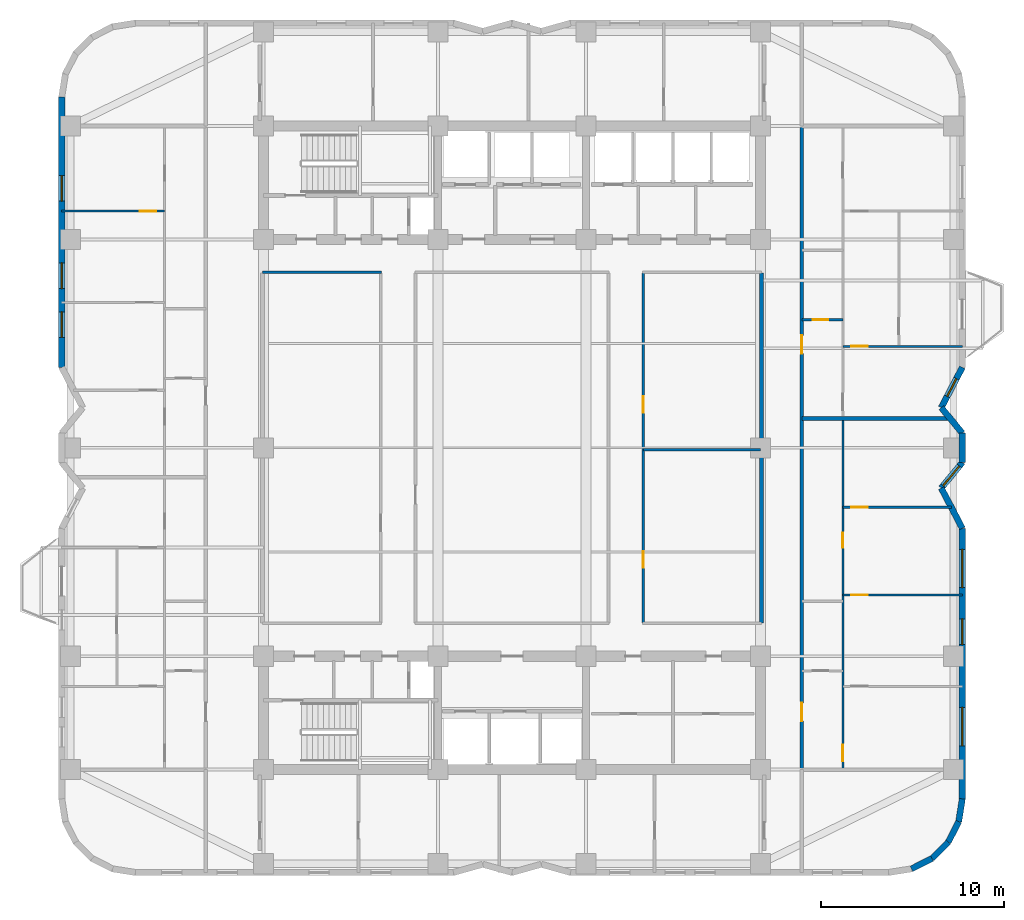
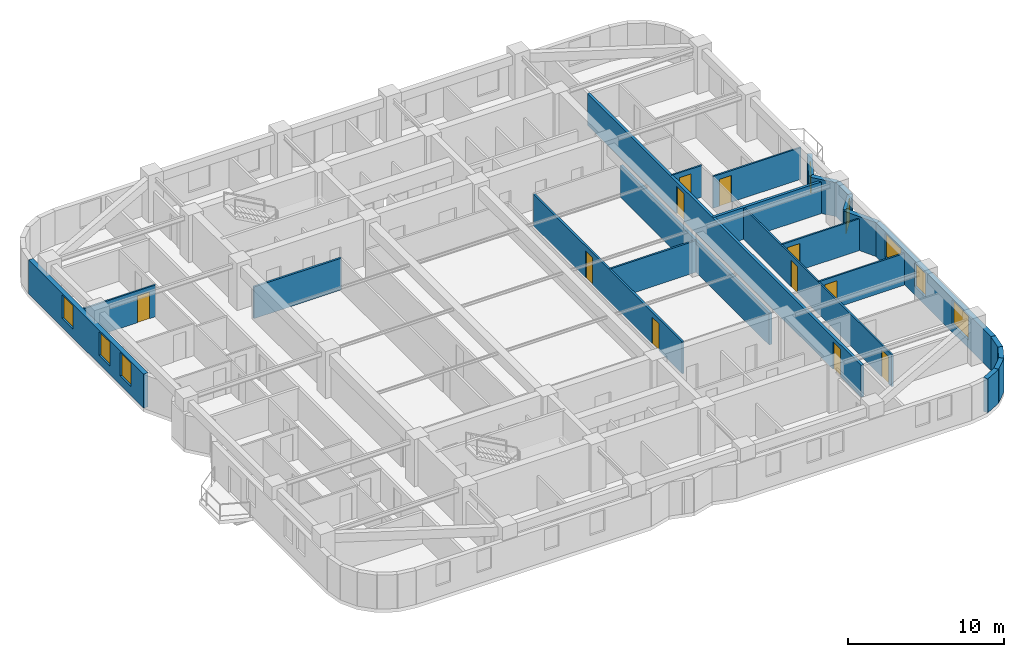
# One storey, part 5 of 10: 23 walls, 11 doors, 8 windows, 19 openings.
"""IFC4 building model written with IfcOpenShell, lengths in metres."""

from ifc_helpers import new_model, si_unit, direction, frame, frame_2d, origin, place, context, subcontext, project, spatial, rectangle, extrude, material, layer, layer_set, type_object, element, fill, save


model = new_model("IFC4")

# Units and contexts
model_context = context("Model", 3, precision=1e-05, world=origin(), true_north=direction((0.0, 1.0)))
body_context = subcontext(model_context, "Body", "Model", "MODEL_VIEW")
ifc_project = project(units=[si_unit("LENGTHUNIT", "METRE"), si_unit("AREAUNIT", "SQUARE_METRE"), si_unit("VOLUMEUNIT", "CUBIC_METRE"), si_unit("PLANEANGLEUNIT", "RADIAN"), si_unit("MASSUNIT", "GRAM", prefix="KILO")], contexts=[model_context])

# Site, building, storey
site_placement = place(None, origin())
site = spatial("IfcSite", under=ifc_project, at=site_placement, CompositionType="ELEMENT")
building_placement = place(site_placement, origin())
building = spatial("IfcBuilding", under=site, at=building_placement, Name="Svetorya Sky Lyceum", CompositionType="ELEMENT")
storey_placement = place(building_placement, frame((0.0, 0.0, 132.699951171875)))
storey = spatial("IfcBuildingStorey", under=building, at=storey_placement, Name="L33", CompositionType="ELEMENT", Elevation=132.699951171875)

# Walls
ifc_material_1 = material(Name="Putilovo limestone rainscreen on autoclaved cellular masonry", Category="masonry")
ifc_layer_1 = layer(ifc_material_1, 0.340087890625)
ifc_layer_set_1 = layer_set([ifc_layer_1], Name="Putilovo limestone rainscreen on autoclaved cellular masonry")
wall_type_1 = type_object("IfcWallType", Name="WL-EXT-340", PredefinedType="SOLIDWALL", material=ifc_layer_set_1)
for number, where, z_axis, x_axis, name in (
    (1, (61.04541015625, 5.167236328125, 0.0), (0.0, 0.0, 1.0), (0.890953769915, 0.454094020963, 0.0), "L33 Limestone Exterior Wall 13M"),
    (2, (62.168701171875, 5.73974609375, 0.0), (0.0, 0.0, 1.0), (0.707203598708, 0.707009950407, 0.0), "L33 Limestone Exterior Wall 14M"),
):
    element("IfcWall", number, at=place(storey_placement, frame(where, z_axis=z_axis, x_axis=x_axis)), inside=storey, type_object=wall_type_1, Name=name, PredefinedType="SOLIDWALL", context=body_context, shape_type="SweptSolid", body=[
        extrude(rectangle(XDim=1.2607421875, YDim=0.340087890625, at=frame_2d((0.63037109375, 0.0))), origin(), (0.0, 0.0, 1.0), 2.66015625),
    ])
for number, where, z_axis, x_axis, name in (
    (3, (63.060302734375, 6.631103515625, 0.0), (0.0, 0.0, 1.0), (0.454015689056, 0.890993689142, 0.0), "L33 Limestone Exterior Wall 15M"),
    (4, (63.6328125, 7.754638671875, 0.0), (0.0, 0.0, 1.0), (0.15644975923, 0.987685918112, 0.0), "L33 Limestone Exterior Wall 16M"),
):
    element("IfcWall", number, at=place(storey_placement, frame(where, z_axis=z_axis, x_axis=x_axis)), inside=storey, type_object=wall_type_1, Name=name, PredefinedType="SOLIDWALL", context=body_context, shape_type="SweptSolid", body=[
        extrude(rectangle(XDim=1.260986328125, YDim=0.340087890625, at=frame_2d((0.63037109375, 0.0))), origin(), (0.0, 0.0, 1.0), 2.66015625),
    ])

# Wall, openings, windows
wall_1_placement = place(storey_placement, frame((63.830078125, 9.0, 0.0), z_axis=(0.0, 0.0, 1.0), x_axis=(0.0, 1.0, 0.0)))
wall_1 = element("IfcWall", 5, at=wall_1_placement, inside=storey, type_object=wall_type_1, Name="L33 Limestone Exterior Wall 17M", PredefinedType="SOLIDWALL", context=body_context, shape_type="SweptSolid", body=[
    extrude(rectangle(XDim=14.800048828125, YDim=0.340087890625, at=frame_2d((7.39990234375, 0.0))), origin(), (0.0, 0.0, 1.0), 2.66015625),
])
opening_1_placement = place(wall_1_placement, frame((2.89990234375, 0.0, 0.639892578125)))
opening_1 = element("IfcOpeningElement", 6, at=opening_1_placement, cuts=wall_1, Name="Opening W-R0", PredefinedType="OPENING", context=body_context, shape_type="SweptSolid", body=[
    extrude(rectangle(XDim=2.10009765625, YDim=1.89990234375, at=frame_2d((1.050048828125, 0.949951171875))), frame((0.0, 0.179931640625, 0.0), z_axis=(0.0, -1.0, 0.0), x_axis=(1.0, 0.0, 0.0)), (0.0, 0.0, 1.0), 0.360107421875),
])
opening_2_placement = place(wall_1_placement, frame((8.43994140625, 0.0, 0.64990234375)))
opening_2 = element("IfcOpeningElement", 7, at=opening_2_placement, cuts=wall_1, Name="Opening W-R2", PredefinedType="OPENING", context=body_context, shape_type="SweptSolid", body=[
    extrude(rectangle(XDim=1.39990234375, YDim=1.85009765625, at=frame_2d((0.699951171875, 0.925048828125))), frame((0.0, 0.179931640625, 0.0), z_axis=(0.0, -1.0, 0.0), x_axis=(1.0, 0.0, 0.0)), (0.0, 0.0, 1.0), 0.360107421875),
])
opening_3_placement = place(wall_1_placement, frame((11.550048828125, 0.0, 0.639892578125)))
opening_3 = element("IfcOpeningElement", 8, at=opening_3_placement, cuts=wall_1, Name="Opening W-R0", PredefinedType="OPENING", context=body_context, shape_type="SweptSolid", body=[
    extrude(rectangle(XDim=2.10009765625, YDim=1.89990234375, at=frame_2d((1.050048828125, 0.949951171875))), frame((0.0, 0.179931640625, 0.0), z_axis=(0.0, -1.0, 0.0), x_axis=(1.0, 0.0, 0.0)), (0.0, 0.0, 1.0), 0.360107421875),
])
ifc_material_2 = material(Name="Thermally broken aluminium frame with triple low-E glazing", Category="aluminium")
window_type_1 = type_object("IfcWindowType", Name="WN-RES-140", PartitioningType="SINGLE_PANEL", PredefinedType="WINDOW", material=ifc_material_2)
window_1_placement = place(opening_2_placement, origin())
window_1 = element("IfcWindow", 9, at=window_1_placement, inside=storey, type_object=window_type_1, Name="L33 Facade Window W-R2.17M.3", OverallHeight=1.85009765625, OverallWidth=1.39990234375, PartitioningType="SINGLE_PANEL", PredefinedType="WINDOW", context=body_context, shape_type="SweptSolid", body=[
    extrude(rectangle(XDim=1.39990234375, YDim=1.85009765625, at=frame_2d((0.699951171875, 0.925048828125))), frame((0.0, 0.030029296875, 0.0), z_axis=(0.0, -1.0, 0.0), x_axis=(1.0, 0.0, 0.0)), (0.0, 0.0, 1.0), 0.06005859375),
])
fill(opening_2, window_1)
window_type_2 = type_object("IfcWindowType", Name="WN-RES-210", PartitioningType="TRIPLE_PANEL_VERTICAL", PredefinedType="WINDOW", material=ifc_material_2)
window_2_placement = place(opening_1_placement, origin())
window_2 = element("IfcWindow", 10, at=window_2_placement, inside=storey, type_object=window_type_2, Name="L33 Facade Window W-R0.17M.1", OverallHeight=1.89990234375, OverallWidth=2.10009765625, PartitioningType="SINGLE_PANEL", PredefinedType="WINDOW", context=body_context, shape_type="SweptSolid", body=[
    extrude(rectangle(XDim=2.10009765625, YDim=1.89990234375, at=frame_2d((1.050048828125, 0.949951171875))), frame((0.0, 0.030029296875, 0.0), z_axis=(0.0, -1.0, 0.0), x_axis=(1.0, 0.0, 0.0)), (0.0, 0.0, 1.0), 0.06005859375),
])
fill(opening_1, window_2)
window_3_placement = place(opening_3_placement, origin())
window_3 = element("IfcWindow", 11, at=window_3_placement, inside=storey, type_object=window_type_2, Name="L33 Facade Window W-R0.17M.2", OverallHeight=1.89990234375, OverallWidth=2.10009765625, PartitioningType="SINGLE_PANEL", PredefinedType="WINDOW", context=body_context, shape_type="SweptSolid", body=[
    extrude(rectangle(XDim=2.10009765625, YDim=1.89990234375, at=frame_2d((1.050048828125, 0.949951171875))), frame((0.0, 0.030029296875, 0.0), z_axis=(0.0, -1.0, 0.0), x_axis=(1.0, 0.0, 0.0)), (0.0, 0.0, 1.0), 0.06005859375),
])
fill(opening_3, window_3)

# Wall
wall_2_placement = place(storey_placement, frame((63.830078125, 23.800048828125, 0.0), z_axis=(0.0, 0.0, 1.0), x_axis=(-0.463308627993, 0.886196995722, 0.0)))
element("IfcWall", 12, at=wall_2_placement, inside=storey, type_object=wall_type_1, Name="L33 Limestone Exterior Wall 18M", PredefinedType="SOLIDWALL", context=body_context, shape_type="SweptSolid", body=[
    extrude(rectangle(XDim=2.482421875, YDim=0.340087890625, at=frame_2d((1.2412109375, 0.0))), origin(), (0.0, 0.0, 1.0), 2.66015625),
])

# Wall, opening, window
wall_3_placement = place(storey_placement, frame((62.679931640625, 26.0, 0.0), z_axis=(0.0, 0.0, 1.0), x_axis=(0.634814134075, 0.772664878961, 0.0)))
wall_3 = element("IfcWall", 13, at=wall_3_placement, inside=storey, type_object=wall_type_1, Name="L33 Limestone Exterior Wall 19M", PredefinedType="SOLIDWALL", context=body_context, shape_type="SweptSolid", body=[
    extrude(rectangle(XDim=1.811767578125, YDim=0.340087890625, at=frame_2d((0.90576171875, 0.0))), origin(), (0.0, 0.0, 1.0), 2.66015625),
])
opening_4_placement = place(wall_3_placement, frame((0.159912109375, 0.0, 0.64990234375)))
opening_4 = element("IfcOpeningElement", 14, at=opening_4_placement, cuts=wall_3, Name="Opening W-R2", PredefinedType="OPENING", context=body_context, shape_type="SweptSolid", body=[
    extrude(rectangle(XDim=1.39990234375, YDim=1.85009765625, at=frame_2d((0.699951171875, 0.925048828125))), frame((0.0, 0.179931640625, 0.0), z_axis=(0.0, -1.0, 0.0), x_axis=(1.0, 0.0, 0.0)), (0.0, 0.0, 1.0), 0.360107421875),
])
window_4_placement = place(opening_4_placement, origin())
window_4 = element("IfcWindow", 15, at=window_4_placement, inside=storey, type_object=window_type_1, Name="L33 Facade Window W-R2.19M.1", OverallHeight=1.85009765625, OverallWidth=1.39990234375, PartitioningType="SINGLE_PANEL", PredefinedType="WINDOW", context=body_context, shape_type="SweptSolid", body=[
    extrude(rectangle(XDim=1.39990234375, YDim=1.85009765625, at=frame_2d((0.699951171875, 0.925048828125))), frame((0.0, 0.030029296875, 0.0), z_axis=(0.0, -1.0, 0.0), x_axis=(1.0, 0.0, 0.0)), (0.0, 0.0, 1.0), 0.06005859375),
])
fill(opening_4, window_4)

# Walls
wall_4_placement = place(storey_placement, frame((63.830078125, 27.39990234375, 0.0), z_axis=(0.0, 0.0, 1.0), x_axis=(0.0, 1.0, 0.0)))
element("IfcWall", 16, at=wall_4_placement, inside=storey, type_object=wall_type_1, Name="L33 Limestone Exterior Wall 20M", PredefinedType="SOLIDWALL", context=body_context, shape_type="SweptSolid", body=[
    extrude(rectangle(XDim=1.60009765625, YDim=0.340087890625, at=frame_2d((0.800048828125, 0.0))), origin(), (0.0, 0.0, 1.0), 2.66015625),
])
wall_5_placement = place(storey_placement, frame((63.830078125, 29.0, 0.0), z_axis=(0.0, 0.0, 1.0), x_axis=(-0.634814134075, 0.772664878961, 0.0)))
element("IfcWall", 17, at=wall_5_placement, inside=storey, type_object=wall_type_1, Name="L33 Limestone Exterior Wall 21M", PredefinedType="SOLIDWALL", context=body_context, shape_type="SweptSolid", body=[
    extrude(rectangle(XDim=1.811767578125, YDim=0.340087890625, at=frame_2d((0.90576171875, 0.0))), origin(), (0.0, 0.0, 1.0), 2.66015625),
])

# Wall, opening, window
wall_6_placement = place(storey_placement, frame((62.679931640625, 30.39990234375, 0.0), z_axis=(0.0, 0.0, 1.0), x_axis=(0.46326825181, 0.88621810344, 0.0)))
wall_6 = element("IfcWall", 18, at=wall_6_placement, inside=storey, type_object=wall_type_1, Name="L33 Limestone Exterior Wall 22M", PredefinedType="SOLIDWALL", context=body_context, shape_type="SweptSolid", body=[
    extrude(rectangle(XDim=2.482666015625, YDim=0.340087890625, at=frame_2d((1.2412109375, 0.0))), origin(), (0.0, 0.0, 1.0), 2.66015625),
])
opening_5_placement = place(wall_6_placement, frame((0.691162109375, 0.0, 0.85009765625)))
opening_5 = element("IfcOpeningElement", 19, at=opening_5_placement, cuts=wall_6, Name="Opening W-R3", PredefinedType="OPENING", context=body_context, shape_type="SweptSolid", body=[
    extrude(rectangle(XDim=1.10009765625, YDim=1.64990234375, at=frame_2d((0.550048828125, 0.824951171875))), frame((0.0, 0.179931640625, 0.0), z_axis=(0.0, -1.0, 0.0), x_axis=(1.0, 0.0, 0.0)), (0.0, 0.0, 1.0), 0.360107421875),
])
window_type_3 = type_object("IfcWindowType", Name="WN-RES-110", PartitioningType="SINGLE_PANEL", PredefinedType="WINDOW", material=ifc_material_2)
window_5_placement = place(opening_5_placement, origin())
window_5 = element("IfcWindow", 20, at=window_5_placement, inside=storey, type_object=window_type_3, Name="L33 Facade Window W-R3.22M.1", OverallHeight=1.64990234375, OverallWidth=1.10009765625, PartitioningType="SINGLE_PANEL", PredefinedType="WINDOW", context=body_context, shape_type="SweptSolid", body=[
    extrude(rectangle(XDim=1.10009765625, YDim=1.64990234375, at=frame_2d((0.550048828125, 0.824951171875))), frame((0.0, 0.030029296875, 0.0), z_axis=(0.0, -1.0, 0.0), x_axis=(1.0, 0.0, 0.0)), (0.0, 0.0, 1.0), 0.06005859375),
])
fill(opening_5, window_5)

# Wall, openings, windows
wall_7_placement = place(storey_placement, frame((14.570068359375, 47.39990234375, 0.0), z_axis=(0.0, 0.0, 1.0), x_axis=(0.0, -1.0, 0.0)))
wall_7 = element("IfcWall", 21, at=wall_7_placement, inside=storey, type_object=wall_type_1, Name="L33 Limestone Exterior Wall 40M", PredefinedType="SOLIDWALL", context=body_context, shape_type="SweptSolid", body=[
    extrude(rectangle(XDim=14.7998046875, YDim=0.340087890625, at=frame_2d((7.39990234375, 0.0))), origin(), (0.0, 0.0, 1.0), 2.66015625),
])
opening_6_placement = place(wall_7_placement, frame((4.3125, 0.0, 0.68994140625)))
opening_6 = element("IfcOpeningElement", 22, at=opening_6_placement, cuts=wall_7, Name="Opening W-R2", PredefinedType="OPENING", context=body_context, shape_type="SweptSolid", body=[
    extrude(rectangle(XDim=1.39990234375, YDim=1.85009765625, at=frame_2d((0.699951171875, 0.925048828125))), frame((0.0, 0.179931640625, 0.0), z_axis=(0.0, -1.0, 0.0), x_axis=(1.0, 0.0, 0.0)), (0.0, 0.0, 1.0), 0.360107421875),
])
opening_7_placement = place(wall_7_placement, frame((9.08740234375, 0.0, 0.68994140625)))
opening_7 = element("IfcOpeningElement", 23, at=opening_7_placement, cuts=wall_7, Name="Opening W-R2", PredefinedType="OPENING", context=body_context, shape_type="SweptSolid", body=[
    extrude(rectangle(XDim=1.39990234375, YDim=1.85009765625, at=frame_2d((0.699951171875, 0.925048828125))), frame((0.0, 0.179931640625, 0.0), z_axis=(0.0, -1.0, 0.0), x_axis=(1.0, 0.0, 0.0)), (0.0, 0.0, 1.0), 0.360107421875),
])
opening_8_placement = place(wall_7_placement, frame((11.762451171875, 0.0, 0.68994140625)))
opening_8 = element("IfcOpeningElement", 24, at=opening_8_placement, cuts=wall_7, Name="Opening W-R2", PredefinedType="OPENING", context=body_context, shape_type="SweptSolid", body=[
    extrude(rectangle(XDim=1.39990234375, YDim=1.85009765625, at=frame_2d((0.699951171875, 0.925048828125))), frame((0.0, 0.179931640625, 0.0), z_axis=(0.0, -1.0, 0.0), x_axis=(1.0, 0.0, 0.0)), (0.0, 0.0, 1.0), 0.360107421875),
])
window_6_placement = place(opening_6_placement, origin())
window_6 = element("IfcWindow", 25, at=window_6_placement, inside=storey, type_object=window_type_1, Name="L33 Facade Window W-R2.40M.1", OverallHeight=1.85009765625, OverallWidth=1.39990234375, PartitioningType="SINGLE_PANEL", PredefinedType="WINDOW", context=body_context, shape_type="SweptSolid", body=[
    extrude(rectangle(XDim=1.39990234375, YDim=1.85009765625, at=frame_2d((0.699951171875, 0.925048828125))), frame((0.0, 0.030029296875, 0.0), z_axis=(0.0, -1.0, 0.0), x_axis=(1.0, 0.0, 0.0)), (0.0, 0.0, 1.0), 0.06005859375),
])
fill(opening_6, window_6)
window_7_placement = place(opening_7_placement, origin())
window_7 = element("IfcWindow", 26, at=window_7_placement, inside=storey, type_object=window_type_1, Name="L33 Facade Window W-R2.40M.2", OverallHeight=1.85009765625, OverallWidth=1.39990234375, PartitioningType="SINGLE_PANEL", PredefinedType="WINDOW", context=body_context, shape_type="SweptSolid", body=[
    extrude(rectangle(XDim=1.39990234375, YDim=1.85009765625, at=frame_2d((0.699951171875, 0.925048828125))), frame((0.0, 0.030029296875, 0.0), z_axis=(0.0, -1.0, 0.0), x_axis=(1.0, 0.0, 0.0)), (0.0, 0.0, 1.0), 0.06005859375),
])
fill(opening_7, window_7)
window_8_placement = place(opening_8_placement, origin())
window_8 = element("IfcWindow", 27, at=window_8_placement, inside=storey, type_object=window_type_1, Name="L33 Facade Window W-R2.40M.3", OverallHeight=1.85009765625, OverallWidth=1.39990234375, PartitioningType="SINGLE_PANEL", PredefinedType="WINDOW", context=body_context, shape_type="SweptSolid", body=[
    extrude(rectangle(XDim=1.39990234375, YDim=1.85009765625, at=frame_2d((0.699951171875, 0.925048828125))), frame((0.0, 0.030029296875, 0.0), z_axis=(0.0, -1.0, 0.0), x_axis=(1.0, 0.0, 0.0)), (0.0, 0.0, 1.0), 0.06005859375),
])
fill(opening_8, window_8)

# Wall, opening, door
ifc_material_3 = material(Name="Twin-stud galvanized framing with double fireboard", Category="gypsum")
ifc_layer_2 = layer(ifc_material_3, 0.1201171875)
ifc_layer_set_2 = layer_set([ifc_layer_2], Name="Twin-stud galvanized framing with double fireboard")
wall_type_2 = type_object("IfcWallType", Name="WL-PART-120", PredefinedType="PARTITIONING", material=ifc_layer_set_2)
wall_8_placement = place(storey_placement, frame((14.570068359375, 41.14990234375, 0.0), z_axis=(0.0, 0.0, 1.0), x_axis=(1.0, 0.0, 0.0)))
wall_8 = element("IfcWall", 28, at=wall_8_placement, inside=storey, type_object=wall_type_2, Name="L33 Interior Partition W2-WL3", PredefinedType="PARTITIONING", context=body_context, shape_type="SweptSolid", body=[
    extrude(rectangle(XDim=5.6298828125, YDim=0.1201171875, at=frame_2d((2.81494140625, 0.0))), origin(), (0.0, 0.0, 1.0), 2.489990234375),
])
opening_9_placement = place(wall_8_placement, frame((4.280029296875, 0.0, 0.0)))
opening_9 = element("IfcOpeningElement", 29, at=opening_9_placement, cuts=wall_8, Name="Opening D-RM1", PredefinedType="OPENING", context=body_context, shape_type="SweptSolid", body=[
    extrude(rectangle(XDim=0.89990234375, YDim=2.10009765625, at=frame_2d((0.449951171875, 1.050048828125))), frame((0.0, 0.070068359375, 0.0), z_axis=(0.0, -1.0, 0.0), x_axis=(1.0, 0.0, 0.0)), (0.0, 0.0, 1.0), 0.14013671875),
])
ifc_material_4 = material(Name="Lacquered birch veneer internal door")
door_type_1 = type_object("IfcDoorType", Name="DR-INT-900", OperationType="SINGLE_SWING_LEFT", PredefinedType="DOOR", material=ifc_material_4)
door_1_placement = place(opening_9_placement, origin())
door_1 = element("IfcDoor", 30, at=door_1_placement, inside=storey, type_object=door_type_1, Name="Apartment W2 Bedroom 3 Door", OperationType="SINGLE_SWING_RIGHT", OverallHeight=2.10009765625, OverallWidth=0.89990234375, PredefinedType="DOOR", context=body_context, shape_type="SweptSolid", body=[
    extrude(rectangle(XDim=0.89990234375, YDim=2.10009765625, at=frame_2d((0.449951171875, 1.050048828125))), frame((0.0, 0.02490234375, 0.0), z_axis=(0.0, -1.0, 0.0), x_axis=(1.0, 0.0, 0.0)), (0.0, 0.0, 1.0), 0.050048828125),
])
fill(opening_9, door_1)

wall_9_placement = place(storey_placement, frame((57.300048828125, 20.14990234375, 0.0), z_axis=(0.0, 0.0, 1.0), x_axis=(1.0, 0.0, 0.0)))
wall_9 = element("IfcWall", 31, at=wall_9_placement, inside=storey, type_object=wall_type_2, Name="L33 Interior Partition E1-WL2", PredefinedType="PARTITIONING", context=body_context, shape_type="SweptSolid", body=[
    extrude(rectangle(XDim=6.530029296875, YDim=0.1201171875, at=frame_2d((3.26513671875, 0.0))), origin(), (0.0, 0.0, 1.0), 2.489990234375),
])
opening_10_placement = place(wall_9_placement, frame((0.449951171875, 0.0, 0.0)))
opening_10 = element("IfcOpeningElement", 32, at=opening_10_placement, cuts=wall_9, Name="Opening D-RM1", PredefinedType="OPENING", context=body_context, shape_type="SweptSolid", body=[
    extrude(rectangle(XDim=0.89990234375, YDim=2.10009765625, at=frame_2d((0.449951171875, 1.050048828125))), frame((0.0, 0.070068359375, 0.0), z_axis=(0.0, -1.0, 0.0), x_axis=(1.0, 0.0, 0.0)), (0.0, 0.0, 1.0), 0.14013671875),
])
door_2_placement = place(opening_10_placement, origin())
door_2 = element("IfcDoor", 33, at=door_2_placement, inside=storey, type_object=door_type_1, Name="Apartment E1 Bedroom 2 Door", OperationType="SINGLE_SWING_LEFT", OverallHeight=2.10009765625, OverallWidth=0.89990234375, PredefinedType="DOOR", context=body_context, shape_type="SweptSolid", body=[
    extrude(rectangle(XDim=0.89990234375, YDim=2.10009765625, at=frame_2d((0.449951171875, 1.050048828125))), frame((0.0, 0.02490234375, 0.0), z_axis=(0.0, -1.0, 0.0), x_axis=(1.0, 0.0, 0.0)), (0.0, 0.0, 1.0), 0.050048828125),
])
fill(opening_10, door_2)

wall_10_placement = place(storey_placement, frame((57.300048828125, 24.949951171875, 0.0), z_axis=(0.0, 0.0, 1.0), x_axis=(1.0, 0.0, 0.0)))
wall_10 = element("IfcWall", 34, at=wall_10_placement, inside=storey, type_object=wall_type_2, Name="L33 Interior Partition E1-WL3", PredefinedType="PARTITIONING", context=body_context, shape_type="SweptSolid", body=[
    extrude(rectangle(XDim=5.928955078125, YDim=0.1201171875, at=frame_2d((2.96435546875, 0.0))), origin(), (0.0, 0.0, 1.0), 2.489990234375),
])
opening_11_placement = place(wall_10_placement, frame((0.449951171875, 0.0, 0.0)))
opening_11 = element("IfcOpeningElement", 35, at=opening_11_placement, cuts=wall_10, Name="Opening D-RM1", PredefinedType="OPENING", context=body_context, shape_type="SweptSolid", body=[
    extrude(rectangle(XDim=0.89990234375, YDim=2.10009765625, at=frame_2d((0.449951171875, 1.050048828125))), frame((0.0, 0.070068359375, 0.0), z_axis=(0.0, -1.0, 0.0), x_axis=(1.0, 0.0, 0.0)), (0.0, 0.0, 1.0), 0.14013671875),
])
door_3_placement = place(opening_11_placement, origin())
door_3 = element("IfcDoor", 36, at=door_3_placement, inside=storey, type_object=door_type_1, Name="Apartment E1 Bedroom 3 Door", OperationType="SINGLE_SWING_RIGHT", OverallHeight=2.10009765625, OverallWidth=0.89990234375, PredefinedType="DOOR", context=body_context, shape_type="SweptSolid", body=[
    extrude(rectangle(XDim=0.89990234375, YDim=2.10009765625, at=frame_2d((0.449951171875, 1.050048828125))), frame((0.0, 0.02490234375, 0.0), z_axis=(0.0, -1.0, 0.0), x_axis=(1.0, 0.0, 0.0)), (0.0, 0.0, 1.0), 0.050048828125),
])
fill(opening_11, door_3)

# Wall, openings, doors
wall_11_placement = place(storey_placement, frame((57.300048828125, 10.639892578125, 0.0), z_axis=(0.0, 0.0, 1.0), x_axis=(0.0, 1.0, 0.0)))
wall_11 = element("IfcWall", 37, at=wall_11_placement, inside=storey, type_object=wall_type_2, Name="L33 Interior Partition E1-WV", PredefinedType="PARTITIONING", context=body_context, shape_type="SweptSolid", body=[
    extrude(rectangle(XDim=19.1201171875, YDim=0.1201171875, at=frame_2d((9.56005859375, 0.0))), origin(), (0.0, 0.0, 1.0), 2.489990234375),
])
opening_12_placement = place(wall_11_placement, frame((0.409912109375, 0.0, 0.0)))
opening_12 = element("IfcOpeningElement", 38, at=opening_12_placement, cuts=wall_11, Name="Opening D-RM1", PredefinedType="OPENING", context=body_context, shape_type="SweptSolid", body=[
    extrude(rectangle(XDim=0.89990234375, YDim=2.10009765625, at=frame_2d((0.449951171875, 1.050048828125))), frame((0.0, 0.070068359375, 0.0), z_axis=(0.0, -1.0, 0.0), x_axis=(1.0, 0.0, 0.0)), (0.0, 0.0, 1.0), 0.14013671875),
])
opening_13_placement = place(wall_11_placement, frame((12.10498046875, 0.0, 0.0)))
opening_13 = element("IfcOpeningElement", 39, at=opening_13_placement, cuts=wall_11, Name="Opening D-BT2", PredefinedType="OPENING", context=body_context, shape_type="SweptSolid", body=[
    extrude(rectangle(XDim=0.820068359375, YDim=2.080078125, at=frame_2d((0.41015625, 1.0400390625))), frame((0.0, 0.070068359375, 0.0), z_axis=(0.0, -1.0, 0.0), x_axis=(1.0, 0.0, 0.0)), (0.0, 0.0, 1.0), 0.14013671875),
])
door_4_placement = place(opening_12_placement, origin())
door_4 = element("IfcDoor", 40, at=door_4_placement, inside=storey, type_object=door_type_1, Name="Apartment E1 Living Door", OperationType="SINGLE_SWING_LEFT", OverallHeight=2.10009765625, OverallWidth=0.89990234375, PredefinedType="DOOR", context=body_context, shape_type="SweptSolid", body=[
    extrude(rectangle(XDim=0.89990234375, YDim=2.10009765625, at=frame_2d((0.449951171875, 1.050048828125))), frame((0.0, 0.02490234375, 0.0), z_axis=(0.0, -1.0, 0.0), x_axis=(1.0, 0.0, 0.0)), (0.0, 0.0, 1.0), 0.050048828125),
])
fill(opening_12, door_4)
ifc_material_5 = material(Name="Compact moisture-resistant laminate closet door")
door_type_2 = type_object("IfcDoorType", Name="DR-WET-820", OperationType="SINGLE_SWING_LEFT", PredefinedType="DOOR", material=ifc_material_5)
door_5_placement = place(opening_13_placement, origin())
door_5 = element("IfcDoor", 41, at=door_5_placement, inside=storey, type_object=door_type_2, Name="Apartment E1 Study Door", OperationType="SINGLE_SWING_RIGHT", OverallHeight=2.080078125, OverallWidth=0.820068359375, PredefinedType="DOOR", context=body_context, shape_type="SweptSolid", body=[
    extrude(rectangle(XDim=0.820068359375, YDim=2.080078125, at=frame_2d((0.41015625, 1.0400390625))), frame((0.0, 0.02490234375, 0.0), z_axis=(0.0, -1.0, 0.0), x_axis=(1.0, 0.0, 0.0)), (0.0, 0.0, 1.0), 0.050048828125),
])
fill(opening_13, door_5)

# Wall, opening, door
wall_12_placement = place(storey_placement, frame((55.050048828125, 35.199951171875, 0.0), z_axis=(0.0, 0.0, 1.0), x_axis=(1.0, 0.0, 0.0)))
wall_12 = element("IfcWall", 42, at=wall_12_placement, inside=storey, type_object=wall_type_2, Name="L33 Interior Partition E2-WH1", PredefinedType="PARTITIONING", context=body_context, shape_type="SweptSolid", body=[
    extrude(rectangle(XDim=2.25, YDim=0.1201171875, at=frame_2d((1.125, 0.0))), origin(), (0.0, 0.0, 1.0), 2.489990234375),
])
opening_14_placement = place(wall_12_placement, frame((0.60009765625, 0.0, 0.0)))
opening_14 = element("IfcOpeningElement", 43, at=opening_14_placement, cuts=wall_12, Name="Opening D-BT1", PredefinedType="OPENING", context=body_context, shape_type="SweptSolid", body=[
    extrude(rectangle(XDim=0.85009765625, YDim=2.10009765625, at=frame_2d((0.425048828125, 1.050048828125))), frame((0.0, 0.070068359375, 0.0), z_axis=(0.0, -1.0, 0.0), x_axis=(1.0, 0.0, 0.0)), (0.0, 0.0, 1.0), 0.14013671875),
])
ifc_material_6 = material(Name="Moisture-resistant laminate bathroom door")
door_type_3 = type_object("IfcDoorType", Name="DR-WET-850", OperationType="SINGLE_SWING_LEFT", PredefinedType="DOOR", material=ifc_material_6)
door_6_placement = place(opening_14_placement, origin())
door_6 = element("IfcDoor", 44, at=door_6_placement, inside=storey, type_object=door_type_3, Name="Apartment E2 Bathroom Door", OperationType="SINGLE_SWING_LEFT", OverallHeight=2.10009765625, OverallWidth=0.85009765625, PredefinedType="DOOR", context=body_context, shape_type="SweptSolid", body=[
    extrude(rectangle(XDim=0.85009765625, YDim=2.10009765625, at=frame_2d((0.425048828125, 1.050048828125))), frame((0.0, 0.02490234375, 0.0), z_axis=(0.0, -1.0, 0.0), x_axis=(1.0, 0.0, 0.0)), (0.0, 0.0, 1.0), 0.050048828125),
])
fill(opening_14, door_6)

wall_13_placement = place(storey_placement, frame((57.300048828125, 33.75, 0.0), z_axis=(0.0, 0.0, 1.0), x_axis=(1.0, 0.0, 0.0)))
wall_13 = element("IfcWall", 45, at=wall_13_placement, inside=storey, type_object=wall_type_2, Name="L33 Interior Partition E2-WL1", PredefinedType="PARTITIONING", context=body_context, shape_type="SweptSolid", body=[
    extrude(rectangle(XDim=6.530029296875, YDim=0.1201171875, at=frame_2d((3.26513671875, 0.0))), origin(), (0.0, 0.0, 1.0), 2.489990234375),
])
opening_15_placement = place(wall_13_placement, frame((0.449951171875, 0.0, 0.0)))
opening_15 = element("IfcOpeningElement", 46, at=opening_15_placement, cuts=wall_13, Name="Opening D-RM1", PredefinedType="OPENING", context=body_context, shape_type="SweptSolid", body=[
    extrude(rectangle(XDim=0.89990234375, YDim=2.10009765625, at=frame_2d((0.449951171875, 1.050048828125))), frame((0.0, 0.070068359375, 0.0), z_axis=(0.0, -1.0, 0.0), x_axis=(1.0, 0.0, 0.0)), (0.0, 0.0, 1.0), 0.14013671875),
])
door_7_placement = place(opening_15_placement, origin())
door_7 = element("IfcDoor", 47, at=door_7_placement, inside=storey, type_object=door_type_1, Name="Apartment E2 Master Bedroom Door", OperationType="SINGLE_SWING_LEFT", OverallHeight=2.10009765625, OverallWidth=0.89990234375, PredefinedType="DOOR", context=body_context, shape_type="SweptSolid", body=[
    extrude(rectangle(XDim=0.89990234375, YDim=2.10009765625, at=frame_2d((0.449951171875, 1.050048828125))), frame((0.0, 0.02490234375, 0.0), z_axis=(0.0, -1.0, 0.0), x_axis=(1.0, 0.0, 0.0)), (0.0, 0.0, 1.0), 0.050048828125),
])
fill(opening_15, door_7)

# Walls
ifc_material_7 = material(Name="Twin-stud galvanized framing with acoustic board", Category="gypsum")
ifc_layer_3 = layer(ifc_material_7, 0.135009765625)
ifc_layer_set_3 = layer_set([ifc_layer_3], Name="Twin-stud galvanized framing with acoustic board")
wall_type_3 = type_object("IfcWallType", Name="WL-PART-135", PredefinedType="PARTITIONING", material=ifc_layer_set_3)
wall_14_placement = place(storey_placement, frame((46.3798828125, 28.10009765625, 0.0), z_axis=(0.0, 0.0, 1.0), x_axis=(1.0, 0.0, 0.0)))
element("IfcWall", 48, at=wall_14_placement, inside=storey, type_object=wall_type_3, Name="L33 Interior Partition ISL-HMID", PredefinedType="PARTITIONING", context=body_context, shape_type="SweptSolid", body=[
    extrude(rectangle(XDim=6.420166015625, YDim=0.135009765625, at=frame_2d((3.2099609375, 0.0))), origin(), (0.0, 0.0, 1.0), 2.489990234375),
])
ifc_material_8 = material(Name="Autoclaved cellular masonry blockwork with acoustic render", Category="masonry")
ifc_layer_4 = layer(ifc_material_8, 0.14990234375)
ifc_layer_set_4 = layer_set([ifc_layer_4], Name="Autoclaved cellular masonry blockwork with acoustic render")
wall_type_4 = type_object("IfcWallType", Name="WL-PART-150", PredefinedType="PARTITIONING", material=ifc_layer_set_4)
wall_15_placement = place(storey_placement, frame((25.550048828125, 37.800048828125, 0.0), z_axis=(0.0, 0.0, 1.0), x_axis=(1.0, 0.0, 0.0)))
element("IfcWall", 49, at=wall_15_placement, inside=storey, type_object=wall_type_4, Name="L33 Interior Partition RL-CN-W", PredefinedType="PARTITIONING", context=body_context, shape_type="SweptSolid", body=[
    extrude(rectangle(XDim=6.5, YDim=0.14990234375, at=frame_2d((3.25, 0.0))), origin(), (0.0, 0.0, 1.0), 2.489990234375),
])

# Wall, openings, doors
wall_16_placement = place(storey_placement, frame((46.3798828125, 18.6298828125, 0.0), z_axis=(0.0, 0.0, 1.0), x_axis=(0.0, 1.0, 0.0)))
wall_16 = element("IfcWall", 50, at=wall_16_placement, inside=storey, type_object=wall_type_4, Name="L33 Interior Partition ISL-EE", PredefinedType="PARTITIONING", context=body_context, shape_type="SweptSolid", body=[
    extrude(rectangle(XDim=19.14013671875, YDim=0.14990234375, at=frame_2d((9.570068359375, 0.0))), origin(), (0.0, 0.0, 1.0), 2.489990234375),
])
opening_16_placement = place(wall_16_placement, frame((3.0, 0.0, 0.0)))
opening_16 = element("IfcOpeningElement", 51, at=opening_16_placement, cuts=wall_16, Name="Opening D-RM1", PredefinedType="OPENING", context=body_context, shape_type="SweptSolid", body=[
    extrude(rectangle(XDim=0.89990234375, YDim=2.10009765625, at=frame_2d((0.449951171875, 1.050048828125))), frame((0.0, 0.0849609375, 0.0), z_axis=(0.0, -1.0, 0.0), x_axis=(1.0, 0.0, 0.0)), (0.0, 0.0, 1.0), 0.169921875),
])
opening_17_placement = place(wall_16_placement, frame((11.5, 0.0, 0.0)))
opening_17 = element("IfcOpeningElement", 52, at=opening_17_placement, cuts=wall_16, Name="Opening D-RM1", PredefinedType="OPENING", context=body_context, shape_type="SweptSolid", body=[
    extrude(rectangle(XDim=0.89990234375, YDim=2.10009765625, at=frame_2d((0.449951171875, 1.050048828125))), frame((0.0, 0.0849609375, 0.0), z_axis=(0.0, -1.0, 0.0), x_axis=(1.0, 0.0, 0.0)), (0.0, 0.0, 1.0), 0.169921875),
])
door_8_placement = place(opening_16_placement, origin())
door_8 = element("IfcDoor", 53, at=door_8_placement, inside=storey, type_object=door_type_1, Name="L33 Focus Door", OperationType="SINGLE_SWING_LEFT", OverallHeight=2.10009765625, OverallWidth=0.89990234375, PredefinedType="DOOR", context=body_context, shape_type="SweptSolid", body=[
    extrude(rectangle(XDim=0.89990234375, YDim=2.10009765625, at=frame_2d((0.449951171875, 1.050048828125))), frame((0.0, 0.02490234375, 0.0), z_axis=(0.0, -1.0, 0.0), x_axis=(1.0, 0.0, 0.0)), (0.0, 0.0, 1.0), 0.050048828125),
])
fill(opening_16, door_8)
door_9_placement = place(opening_17_placement, origin())
door_9 = element("IfcDoor", 54, at=door_9_placement, inside=storey, type_object=door_type_1, Name="L33 East Meeting Door", OperationType="SINGLE_SWING_RIGHT", OverallHeight=2.10009765625, OverallWidth=0.89990234375, PredefinedType="DOOR", context=body_context, shape_type="SweptSolid", body=[
    extrude(rectangle(XDim=0.89990234375, YDim=2.10009765625, at=frame_2d((0.449951171875, 1.050048828125))), frame((0.0, 0.02490234375, 0.0), z_axis=(0.0, -1.0, 0.0), x_axis=(1.0, 0.0, 0.0)), (0.0, 0.0, 1.0), 0.050048828125),
])
fill(opening_17, door_9)

# Walls
ifc_material_9 = material(Name="Autoclaved cellular masonry blockwork with gypsum plaster", Category="masonry")
ifc_layer_5 = layer(ifc_material_9, 0.199951171875)
ifc_layer_set_5 = layer_set([ifc_layer_5], Name="Autoclaved cellular masonry blockwork with gypsum plaster")
wall_type_5 = type_object("IfcWallType", Name="WL-PART-200", PredefinedType="PARTITIONING", material=ifc_layer_set_5)
wall_17_placement = place(storey_placement, frame((52.85009765625, 18.6298828125, 0.0), z_axis=(0.0, 0.0, 1.0), x_axis=(0.0, 1.0, 0.0)))
element("IfcWall", 55, at=wall_17_placement, inside=storey, type_object=wall_type_5, Name="L33 Interior Partition E-CEN-SEP", PredefinedType="PARTITIONING", context=body_context, shape_type="SweptSolid", body=[
    extrude(rectangle(XDim=19.14013671875, YDim=0.199951171875, at=frame_2d((9.570068359375, 0.0))), origin(), (0.0, 0.0, 1.0), 2.489990234375),
])
wall_18_placement = place(storey_placement, frame((55.050048828125, 29.800048828125, 0.0), z_axis=(0.0, 0.0, 1.0), x_axis=(1.0, 0.0, 0.0)))
element("IfcWall", 56, at=wall_18_placement, inside=storey, type_object=wall_type_5, Name="L33 Interior Partition E-PARTY-1", PredefinedType="PARTITIONING", context=body_context, shape_type="SweptSolid", body=[
    extrude(rectangle(XDim=8.122802734375, YDim=0.199951171875, at=frame_2d((4.0615234375, 0.0))), origin(), (0.0, 0.0, 1.0), 2.489990234375),
])

# Wall, openings, doors
wall_19_placement = place(storey_placement, frame((55.050048828125, 10.60009765625, 0.0), z_axis=(0.0, 0.0, 1.0), x_axis=(0.0, 1.0, 0.0)))
wall_19 = element("IfcWall", 57, at=wall_19_placement, inside=storey, type_object=wall_type_5, Name="L33 Interior Partition E-CORRW", PredefinedType="PARTITIONING", context=body_context, shape_type="SweptSolid", body=[
    extrude(rectangle(XDim=35.199951171875, YDim=0.199951171875, at=frame_2d((17.60009765625, 0.0))), origin(), (0.0, 0.0, 1.0), 2.489990234375),
])
opening_18_placement = place(wall_19_placement, frame((2.64990234375, 0.0, 0.0)))
opening_18 = element("IfcOpeningElement", 58, at=opening_18_placement, cuts=wall_19, Name="Opening D-APT1", PredefinedType="OPENING", context=body_context, shape_type="SweptSolid", body=[
    extrude(rectangle(XDim=1.0, YDim=2.14990234375, at=frame_2d((0.5, 1.074951171875))), frame((0.0, 0.10986328125, 0.0), z_axis=(0.0, -1.0, 0.0), x_axis=(1.0, 0.0, 0.0)), (0.0, 0.0, 1.0), 0.219970703125),
])
opening_19_placement = place(wall_19_placement, frame((22.75, 0.0, 0.0)))
opening_19 = element("IfcOpeningElement", 59, at=opening_19_placement, cuts=wall_19, Name="Opening D-APT1", PredefinedType="OPENING", context=body_context, shape_type="SweptSolid", body=[
    extrude(rectangle(XDim=1.0, YDim=2.14990234375, at=frame_2d((0.5, 1.074951171875))), frame((0.0, 0.10986328125, 0.0), z_axis=(0.0, -1.0, 0.0), x_axis=(1.0, 0.0, 0.0)), (0.0, 0.0, 1.0), 0.219970703125),
])
ifc_material_10 = material(Name="Insulated oak-veneered apartment entrance door")
door_type_4 = type_object("IfcDoorType", Name="DR-APT-1000", OperationType="SINGLE_SWING_LEFT", PredefinedType="DOOR", material=ifc_material_10)
door_10_placement = place(opening_18_placement, origin())
door_10 = element("IfcDoor", 60, at=door_10_placement, inside=storey, type_object=door_type_4, Name="L33 Apartment E1 Entrance Door", OperationType="SINGLE_SWING_RIGHT", OverallHeight=2.14990234375, OverallWidth=1.0, PredefinedType="DOOR", context=body_context, shape_type="SweptSolid", body=[
    extrude(rectangle(XDim=1.0, YDim=2.14990234375, at=frame_2d((0.5, 1.074951171875))), frame((0.0, 0.02490234375, 0.0), z_axis=(0.0, -1.0, 0.0), x_axis=(1.0, 0.0, 0.0)), (0.0, 0.0, 1.0), 0.050048828125),
])
fill(opening_18, door_10)
door_11_placement = place(opening_19_placement, origin())
door_11 = element("IfcDoor", 61, at=door_11_placement, inside=storey, type_object=door_type_4, Name="L33 Apartment E2 Entrance Door", OperationType="SINGLE_SWING_LEFT", OverallHeight=2.14990234375, OverallWidth=1.0, PredefinedType="DOOR", context=body_context, shape_type="SweptSolid", body=[
    extrude(rectangle(XDim=1.0, YDim=2.14990234375, at=frame_2d((0.5, 1.074951171875))), frame((0.0, 0.02490234375, 0.0), z_axis=(0.0, -1.0, 0.0), x_axis=(1.0, 0.0, 0.0)), (0.0, 0.0, 1.0), 0.050048828125),
])
fill(opening_19, door_11)

save(model, "model.ifc")
